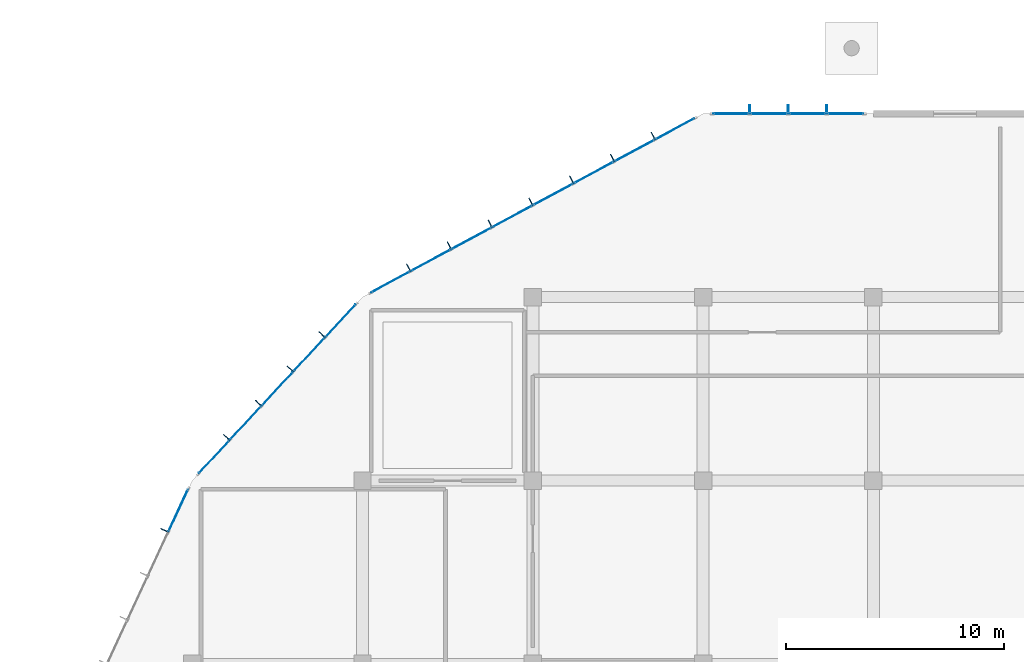
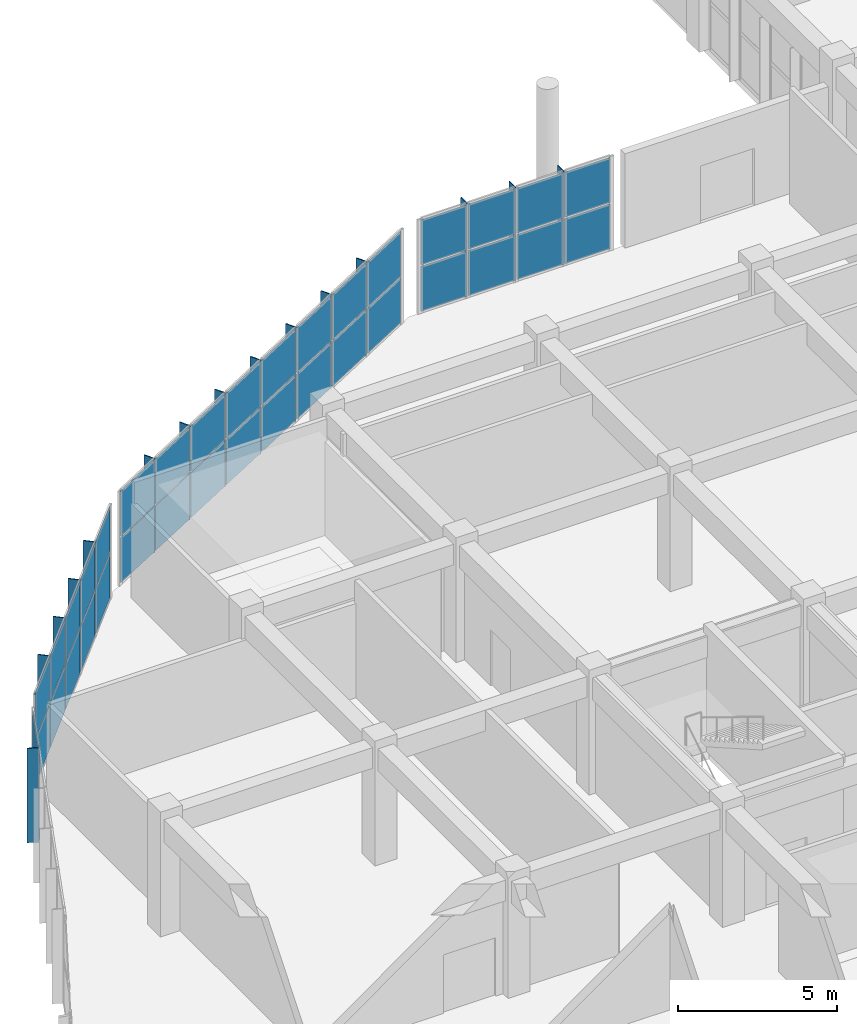
# One storey, part 105 of 139: 51 plates, 4 elements without a shape of their own.
"""IFC4 building model written with IfcOpenShell, lengths in metres."""

from ifc_helpers import new_model, si_unit, direction, frame, origin, origin_2d, place, context, subcontext, project, spatial, polyline, rectangle, outline, extrude, material, layer, layer_set, type_object, element, aggregate, save


model = new_model("IFC4")

# Units and contexts
model_context = context("Model", 3, precision=1e-05, world=origin(), true_north=direction((0.0, 1.0)))
body_context = subcontext(model_context, "Body", "Model", "MODEL_VIEW")
ifc_project = project(units=[si_unit("LENGTHUNIT", "METRE"), si_unit("AREAUNIT", "SQUARE_METRE"), si_unit("VOLUMEUNIT", "CUBIC_METRE"), si_unit("PLANEANGLEUNIT", "RADIAN"), si_unit("MASSUNIT", "GRAM", prefix="KILO")], contexts=[model_context])

# Site, building, storey
site_placement = place(None, origin())
site = spatial("IfcSite", under=ifc_project, at=site_placement, CompositionType="ELEMENT")
building_placement = place(site_placement, origin())
building = spatial("IfcBuilding", under=site, at=building_placement, Name="Zizhar Promenade General Hospital", CompositionType="ELEMENT")
storey_placement = place(building_placement, origin())
storey = spatial("IfcBuildingStorey", under=building, at=storey_placement, Name="L00", CompositionType="ELEMENT", Elevation=0.0)

# Curtain wall, plates
ifc_material_1 = material(Name="Anodised aluminium 6063-T6 and low-E glass", Category="aluminium")
ifc_layer_1 = layer(ifc_material_1, 0.159912109375)
ifc_layer_set_1 = layer_set([ifc_layer_1], Name="Anodised aluminium 6063-T6 and low-E glass")
curtain_wall_type = type_object("IfcCurtainWallType", Name="CW-DT-MOD2", PredefinedType="NOTDEFINED", material=ifc_layer_set_1)
curtain_wall_1_placement = place(storey_placement, origin())
curtain_wall_1 = element("IfcCurtainWall", 1, at=curtain_wall_1_placement, inside=storey, type_object=curtain_wall_type, Name="West Diagnostic Arm Glazed Curtain Wall L00-NW1", PredefinedType="NOTDEFINED")
ifc_material_2 = material(Name="Low-E solar-control glass", Category="glass")
ifc_layer_2 = layer(ifc_material_2, 0.031982421875)
ifc_layer_set_2 = layer_set([ifc_layer_2], Name="Low-E solar-control glass")
plate_type_1 = type_object("IfcPlateType", Name="CWP-GLZ-32", PredefinedType="CURTAIN_PANEL", material=ifc_layer_set_2)
plate_1_placement = place(storey_placement, frame((7.1640625, 65.830322265625, 0.06005859375), z_axis=(0.0, 0.0, 1.0), x_axis=(0.421114945486, 0.907007278189, 0.0)))
plate_1 = element("IfcPlate", 2, at=plate_1_placement, type_object=plate_type_1, Name="CW-08 panel 8.1", PredefinedType="CURTAIN_PANEL", context=body_context, shape_type="SweptSolid", body=[
    extrude(rectangle(XDim=2.100341796875, YDim=0.031982421875, at=origin_2d()), origin(), (0.0, 0.0, 1.0), 1.72509765625),
])
plate_2_placement = place(storey_placement, frame((7.1640625, 65.830322265625, 1.844970703125), z_axis=(0.0, 0.0, 1.0), x_axis=(0.421114945486, 0.907007278189, 0.0)))
plate_2 = element("IfcPlate", 3, at=plate_2_placement, type_object=plate_type_1, Name="CW-08 panel 8.2", PredefinedType="CURTAIN_PANEL", context=body_context, shape_type="SweptSolid", body=[
    extrude(rectangle(XDim=2.100341796875, YDim=0.031982421875, at=origin_2d()), origin(), (0.0, 0.0, 1.0), 1.72509765625),
])
aggregate(curtain_wall_1, [plate_1, plate_2])

curtain_wall_2_placement = place(storey_placement, origin())
curtain_wall_2 = element("IfcCurtainWall", 4, at=curtain_wall_2_placement, inside=storey, type_object=curtain_wall_type, Name="West Diagnostic Arm Glazed Curtain Wall L00-NW2", PredefinedType="NOTDEFINED")
plate_3_placement = place(storey_placement, frame((8.800537109375, 68.27734375, 0.06005859375), z_axis=(0.0, 0.0, 1.0), x_axis=(0.680451816108, 0.732792826081, 0.0)))
plate_3 = element("IfcPlate", 5, at=plate_3_placement, type_object=plate_type_1, Name="CW-08 panel 1.1", PredefinedType="CURTAIN_PANEL", context=body_context, shape_type="SweptSolid", body=[
    extrude(rectangle(XDim=2.0205078125, YDim=0.031982421875, at=origin_2d()), origin(), (0.0, 0.0, 1.0), 1.72509765625),
])
plate_4_placement = place(storey_placement, frame((8.800537109375, 68.27734375, 1.844970703125), z_axis=(0.0, 0.0, 1.0), x_axis=(0.680451816108, 0.732792826081, 0.0)))
plate_4 = element("IfcPlate", 6, at=plate_4_placement, type_object=plate_type_1, Name="CW-08 panel 1.2", PredefinedType="CURTAIN_PANEL", context=body_context, shape_type="SweptSolid", body=[
    extrude(rectangle(XDim=2.0205078125, YDim=0.031982421875, at=origin_2d()), origin(), (0.0, 0.0, 1.0), 1.72509765625),
])
plate_5_placement = place(storey_placement, frame((10.243408203125, 69.831298828125, 0.06005859375), z_axis=(0.0, 0.0, 1.0), x_axis=(0.680451816108, 0.732792826081, 0.0)))
plate_5 = element("IfcPlate", 7, at=plate_5_placement, type_object=plate_type_1, Name="CW-08 panel 2.1", PredefinedType="CURTAIN_PANEL", context=body_context, shape_type="SweptSolid", body=[
    extrude(rectangle(XDim=2.060546875, YDim=0.031982421875, at=origin_2d()), origin(), (0.0, 0.0, 1.0), 1.72509765625),
])
plate_6_placement = place(storey_placement, frame((10.243408203125, 69.831298828125, 1.844970703125), z_axis=(0.0, 0.0, 1.0), x_axis=(0.680451816108, 0.732792826081, 0.0)))
plate_6 = element("IfcPlate", 8, at=plate_6_placement, type_object=plate_type_1, Name="CW-08 panel 2.2", PredefinedType="CURTAIN_PANEL", context=body_context, shape_type="SweptSolid", body=[
    extrude(rectangle(XDim=2.060546875, YDim=0.031982421875, at=origin_2d()), origin(), (0.0, 0.0, 1.0), 1.72509765625),
])
plate_7_placement = place(storey_placement, frame((11.699951171875, 71.39990234375, 0.06005859375), z_axis=(0.0, 0.0, 1.0), x_axis=(0.680451816108, 0.732792826081, 0.0)))
plate_7 = element("IfcPlate", 9, at=plate_7_placement, type_object=plate_type_1, Name="CW-08 panel 3.1", PredefinedType="CURTAIN_PANEL", context=body_context, shape_type="SweptSolid", body=[
    extrude(rectangle(XDim=2.060546875, YDim=0.031982421875, at=origin_2d()), origin(), (0.0, 0.0, 1.0), 1.72509765625),
])
plate_8_placement = place(storey_placement, frame((11.699951171875, 71.39990234375, 1.844970703125), z_axis=(0.0, 0.0, 1.0), x_axis=(0.680451816108, 0.732792826081, 0.0)))
plate_8 = element("IfcPlate", 10, at=plate_8_placement, type_object=plate_type_1, Name="CW-08 panel 3.2", PredefinedType="CURTAIN_PANEL", context=body_context, shape_type="SweptSolid", body=[
    extrude(rectangle(XDim=2.060546875, YDim=0.031982421875, at=origin_2d()), origin(), (0.0, 0.0, 1.0), 1.72509765625),
])
plate_9_placement = place(storey_placement, frame((13.156494140625, 72.968505859375, 0.06005859375), z_axis=(0.0, 0.0, 1.0), x_axis=(0.680451816108, 0.732792826081, 0.0)))
plate_9 = element("IfcPlate", 11, at=plate_9_placement, type_object=plate_type_1, Name="CW-08 panel 4.1", PredefinedType="CURTAIN_PANEL", context=body_context, shape_type="SweptSolid", body=[
    extrude(rectangle(XDim=2.060546875, YDim=0.031982421875, at=origin_2d()), origin(), (0.0, 0.0, 1.0), 1.72509765625),
])
plate_10_placement = place(storey_placement, frame((13.156494140625, 72.968505859375, 1.844970703125), z_axis=(0.0, 0.0, 1.0), x_axis=(0.680451816108, 0.732792826081, 0.0)))
plate_10 = element("IfcPlate", 12, at=plate_10_placement, type_object=plate_type_1, Name="CW-08 panel 4.2", PredefinedType="CURTAIN_PANEL", context=body_context, shape_type="SweptSolid", body=[
    extrude(rectangle(XDim=2.060546875, YDim=0.031982421875, at=origin_2d()), origin(), (0.0, 0.0, 1.0), 1.72509765625),
])
plate_11_placement = place(storey_placement, frame((14.599609375, 74.5224609375, 0.06005859375), z_axis=(0.0, 0.0, 1.0), x_axis=(0.680451816108, 0.732792826081, 0.0)))
plate_11 = element("IfcPlate", 13, at=plate_11_placement, type_object=plate_type_1, Name="CW-08 panel 5.1", PredefinedType="CURTAIN_PANEL", context=body_context, shape_type="SweptSolid", body=[
    extrude(rectangle(XDim=2.0205078125, YDim=0.031982421875, at=origin_2d()), origin(), (0.0, 0.0, 1.0), 1.72509765625),
])
plate_12_placement = place(storey_placement, frame((14.599609375, 74.5224609375, 1.844970703125), z_axis=(0.0, 0.0, 1.0), x_axis=(0.680451816108, 0.732792826081, 0.0)))
plate_12 = element("IfcPlate", 14, at=plate_12_placement, type_object=plate_type_1, Name="CW-08 panel 5.2", PredefinedType="CURTAIN_PANEL", context=body_context, shape_type="SweptSolid", body=[
    extrude(rectangle(XDim=2.0205078125, YDim=0.031982421875, at=origin_2d()), origin(), (0.0, 0.0, 1.0), 1.72509765625),
])
aggregate(curtain_wall_2, [plate_3, plate_4, plate_5, plate_6, plate_7, plate_8, plate_9, plate_10, plate_11, plate_12])

curtain_wall_3_placement = place(storey_placement, origin())
curtain_wall_3 = element("IfcCurtainWall", 15, at=curtain_wall_3_placement, inside=storey, type_object=curtain_wall_type, Name="West Diagnostic Arm Glazed Curtain Wall L00-NW3", PredefinedType="NOTDEFINED")
plate_13_placement = place(storey_placement, frame((16.885498046875, 76.292236328125, 0.06005859375), z_axis=(0.0, 0.0, 1.0), x_axis=(0.880472614749, 0.474097009774, 0.0)))
plate_13 = element("IfcPlate", 16, at=plate_13_placement, type_object=plate_type_1, Name="CW-08 panel 1.1", PredefinedType="CURTAIN_PANEL", context=body_context, shape_type="SweptSolid", body=[
    extrude(rectangle(XDim=1.999755859375, YDim=0.031982421875, at=origin_2d()), origin(), (0.0, 0.0, 1.0), 1.72509765625),
])
plate_14_placement = place(storey_placement, frame((16.885498046875, 76.292236328125, 1.844970703125), z_axis=(0.0, 0.0, 1.0), x_axis=(0.880472614749, 0.474097009774, 0.0)))
plate_14 = element("IfcPlate", 17, at=plate_14_placement, type_object=plate_type_1, Name="CW-08 panel 1.2", PredefinedType="CURTAIN_PANEL", context=body_context, shape_type="SweptSolid", body=[
    extrude(rectangle(XDim=1.999755859375, YDim=0.031982421875, at=origin_2d()), origin(), (0.0, 0.0, 1.0), 1.72509765625),
])
plate_15_placement = place(storey_placement, frame((18.734130859375, 77.28759765625, 0.06005859375), z_axis=(0.0, 0.0, 1.0), x_axis=(0.880472614749, 0.474097009774, 0.0)))
plate_15 = element("IfcPlate", 18, at=plate_15_placement, type_object=plate_type_1, Name="CW-08 panel 2.1", PredefinedType="CURTAIN_PANEL", context=body_context, shape_type="SweptSolid", body=[
    extrude(rectangle(XDim=2.039794921875, YDim=0.031982421875, at=origin_2d()), origin(), (0.0, 0.0, 1.0), 1.72509765625),
])
plate_16_placement = place(storey_placement, frame((18.734130859375, 77.28759765625, 1.844970703125), z_axis=(0.0, 0.0, 1.0), x_axis=(0.880472614749, 0.474097009774, 0.0)))
plate_16 = element("IfcPlate", 19, at=plate_16_placement, type_object=plate_type_1, Name="CW-08 panel 2.2", PredefinedType="CURTAIN_PANEL", context=body_context, shape_type="SweptSolid", body=[
    extrude(rectangle(XDim=2.039794921875, YDim=0.031982421875, at=origin_2d()), origin(), (0.0, 0.0, 1.0), 1.72509765625),
])
plate_17_placement = place(storey_placement, frame((20.6005859375, 78.29248046875, 0.06005859375), z_axis=(0.0, 0.0, 1.0), x_axis=(0.880472614749, 0.474097009774, 0.0)))
plate_17 = element("IfcPlate", 20, at=plate_17_placement, type_object=plate_type_1, Name="CW-08 panel 3.1", PredefinedType="CURTAIN_PANEL", context=body_context, shape_type="SweptSolid", body=[
    extrude(rectangle(XDim=2.039794921875, YDim=0.031982421875, at=origin_2d()), origin(), (0.0, 0.0, 1.0), 1.72509765625),
])
plate_18_placement = place(storey_placement, frame((20.6005859375, 78.29248046875, 1.844970703125), z_axis=(0.0, 0.0, 1.0), x_axis=(0.880472614749, 0.474097009774, 0.0)))
plate_18 = element("IfcPlate", 21, at=plate_18_placement, type_object=plate_type_1, Name="CW-08 panel 3.2", PredefinedType="CURTAIN_PANEL", context=body_context, shape_type="SweptSolid", body=[
    extrude(rectangle(XDim=2.039794921875, YDim=0.031982421875, at=origin_2d()), origin(), (0.0, 0.0, 1.0), 1.72509765625),
])
plate_19_placement = place(storey_placement, frame((22.466796875, 79.297607421875, 0.06005859375), z_axis=(0.0, 0.0, 1.0), x_axis=(0.880472614749, 0.474097009774, 0.0)))
plate_19 = element("IfcPlate", 22, at=plate_19_placement, type_object=plate_type_1, Name="CW-08 panel 4.1", PredefinedType="CURTAIN_PANEL", context=body_context, shape_type="SweptSolid", body=[
    extrude(rectangle(XDim=2.039794921875, YDim=0.031982421875, at=origin_2d()), origin(), (0.0, 0.0, 1.0), 1.72509765625),
])
plate_20_placement = place(storey_placement, frame((22.466796875, 79.297607421875, 1.844970703125), z_axis=(0.0, 0.0, 1.0), x_axis=(0.880472614749, 0.474097009774, 0.0)))
plate_20 = element("IfcPlate", 23, at=plate_20_placement, type_object=plate_type_1, Name="CW-08 panel 4.2", PredefinedType="CURTAIN_PANEL", context=body_context, shape_type="SweptSolid", body=[
    extrude(rectangle(XDim=2.039794921875, YDim=0.031982421875, at=origin_2d()), origin(), (0.0, 0.0, 1.0), 1.72509765625),
])
plate_21_placement = place(storey_placement, frame((24.333251953125, 80.302490234375, 0.06005859375), z_axis=(0.0, 0.0, 1.0), x_axis=(0.880472614749, 0.474097009774, 0.0)))
plate_21 = element("IfcPlate", 24, at=plate_21_placement, type_object=plate_type_1, Name="CW-08 panel 5.1", PredefinedType="CURTAIN_PANEL", context=body_context, shape_type="SweptSolid", body=[
    extrude(rectangle(XDim=2.039794921875, YDim=0.031982421875, at=origin_2d()), origin(), (0.0, 0.0, 1.0), 1.72509765625),
])
plate_22_placement = place(storey_placement, frame((24.333251953125, 80.302490234375, 1.844970703125), z_axis=(0.0, 0.0, 1.0), x_axis=(0.880472614749, 0.474097009774, 0.0)))
plate_22 = element("IfcPlate", 25, at=plate_22_placement, type_object=plate_type_1, Name="CW-08 panel 5.2", PredefinedType="CURTAIN_PANEL", context=body_context, shape_type="SweptSolid", body=[
    extrude(rectangle(XDim=2.039794921875, YDim=0.031982421875, at=origin_2d()), origin(), (0.0, 0.0, 1.0), 1.72509765625),
])
plate_23_placement = place(storey_placement, frame((26.199462890625, 81.307373046875, 0.06005859375), z_axis=(0.0, 0.0, 1.0), x_axis=(0.880472614749, 0.474097009774, 0.0)))
plate_23 = element("IfcPlate", 26, at=plate_23_placement, type_object=plate_type_1, Name="CW-08 panel 6.1", PredefinedType="CURTAIN_PANEL", context=body_context, shape_type="SweptSolid", body=[
    extrude(rectangle(XDim=2.039794921875, YDim=0.031982421875, at=origin_2d()), origin(), (0.0, 0.0, 1.0), 1.72509765625),
])
plate_24_placement = place(storey_placement, frame((26.199462890625, 81.307373046875, 1.844970703125), z_axis=(0.0, 0.0, 1.0), x_axis=(0.880472614749, 0.474097009774, 0.0)))
plate_24 = element("IfcPlate", 27, at=plate_24_placement, type_object=plate_type_1, Name="CW-08 panel 6.2", PredefinedType="CURTAIN_PANEL", context=body_context, shape_type="SweptSolid", body=[
    extrude(rectangle(XDim=2.039794921875, YDim=0.031982421875, at=origin_2d()), origin(), (0.0, 0.0, 1.0), 1.72509765625),
])
plate_25_placement = place(storey_placement, frame((28.06591796875, 82.312255859375, 0.06005859375), z_axis=(0.0, 0.0, 1.0), x_axis=(0.880472614749, 0.474097009774, 0.0)))
plate_25 = element("IfcPlate", 28, at=plate_25_placement, type_object=plate_type_1, Name="CW-08 panel 7.1", PredefinedType="CURTAIN_PANEL", context=body_context, shape_type="SweptSolid", body=[
    extrude(rectangle(XDim=2.039794921875, YDim=0.031982421875, at=origin_2d()), origin(), (0.0, 0.0, 1.0), 1.72509765625),
])
plate_26_placement = place(storey_placement, frame((28.06591796875, 82.312255859375, 1.844970703125), z_axis=(0.0, 0.0, 1.0), x_axis=(0.880472614749, 0.474097009774, 0.0)))
plate_26 = element("IfcPlate", 29, at=plate_26_placement, type_object=plate_type_1, Name="CW-08 panel 7.2", PredefinedType="CURTAIN_PANEL", context=body_context, shape_type="SweptSolid", body=[
    extrude(rectangle(XDim=2.039794921875, YDim=0.031982421875, at=origin_2d()), origin(), (0.0, 0.0, 1.0), 1.72509765625),
])
plate_27_placement = place(storey_placement, frame((29.91455078125, 83.307861328125, 0.06005859375), z_axis=(0.0, 0.0, 1.0), x_axis=(0.880472614749, 0.474097009774, 0.0)))
plate_27 = element("IfcPlate", 30, at=plate_27_placement, type_object=plate_type_1, Name="CW-08 panel 8.1", PredefinedType="CURTAIN_PANEL", context=body_context, shape_type="SweptSolid", body=[
    extrude(rectangle(XDim=1.999755859375, YDim=0.031982421875, at=origin_2d()), origin(), (0.0, 0.0, 1.0), 1.72509765625),
])
plate_28_placement = place(storey_placement, frame((29.91455078125, 83.307861328125, 1.844970703125), z_axis=(0.0, 0.0, 1.0), x_axis=(0.880472614749, 0.474097009774, 0.0)))
plate_28 = element("IfcPlate", 31, at=plate_28_placement, type_object=plate_type_1, Name="CW-08 panel 8.2", PredefinedType="CURTAIN_PANEL", context=body_context, shape_type="SweptSolid", body=[
    extrude(rectangle(XDim=1.999755859375, YDim=0.031982421875, at=origin_2d()), origin(), (0.0, 0.0, 1.0), 1.72509765625),
])
aggregate(curtain_wall_3, [plate_13, plate_14, plate_15, plate_16, plate_17, plate_18, plate_19, plate_20, plate_21, plate_22, plate_23, plate_24, plate_25, plate_26, plate_27, plate_28])

curtain_wall_4_placement = place(storey_placement, origin())
curtain_wall_4 = element("IfcCurtainWall", 32, at=curtain_wall_4_placement, inside=storey, type_object=curtain_wall_type, Name="West Diagnostic Arm Glazed Curtain Wall L00-N1", PredefinedType="NOTDEFINED")
plate_29_placement = place(storey_placement, frame((32.47998046875, 84.0, 0.06005859375), z_axis=(0.0, 0.0, 1.0), x_axis=(1.0, 0.0, 0.0)))
plate_29 = element("IfcPlate", 33, at=plate_29_placement, type_object=plate_type_1, Name="CW-08 panel 1.1", PredefinedType="CURTAIN_PANEL", context=body_context, shape_type="SweptSolid", body=[
    extrude(rectangle(XDim=1.639892578125, YDim=0.031982421875, at=origin_2d()), origin(), (0.0, 0.0, 1.0), 1.72509765625),
])
plate_30_placement = place(storey_placement, frame((32.47998046875, 84.0, 1.844970703125), z_axis=(0.0, 0.0, 1.0), x_axis=(1.0, 0.0, 0.0)))
plate_30 = element("IfcPlate", 34, at=plate_30_placement, type_object=plate_type_1, Name="CW-08 panel 1.2", PredefinedType="CURTAIN_PANEL", context=body_context, shape_type="SweptSolid", body=[
    extrude(rectangle(XDim=1.639892578125, YDim=0.031982421875, at=origin_2d()), origin(), (0.0, 0.0, 1.0), 1.72509765625),
])
plate_31_placement = place(storey_placement, frame((34.219970703125, 84.0, 0.06005859375), z_axis=(0.0, 0.0, 1.0), x_axis=(1.0, 0.0, 0.0)))
plate_31 = element("IfcPlate", 35, at=plate_31_placement, type_object=plate_type_1, Name="CW-08 panel 2.1", PredefinedType="CURTAIN_PANEL", context=body_context, shape_type="SweptSolid", body=[
    extrude(rectangle(XDim=1.679931640625, YDim=0.031982421875, at=origin_2d()), origin(), (0.0, 0.0, 1.0), 1.72509765625),
])
plate_32_placement = place(storey_placement, frame((34.219970703125, 84.0, 1.844970703125), z_axis=(0.0, 0.0, 1.0), x_axis=(1.0, 0.0, 0.0)))
plate_32 = element("IfcPlate", 36, at=plate_32_placement, type_object=plate_type_1, Name="CW-08 panel 2.2", PredefinedType="CURTAIN_PANEL", context=body_context, shape_type="SweptSolid", body=[
    extrude(rectangle(XDim=1.679931640625, YDim=0.031982421875, at=origin_2d()), origin(), (0.0, 0.0, 1.0), 1.72509765625),
])
plate_33_placement = place(storey_placement, frame((35.97998046875, 84.0, 0.06005859375), z_axis=(0.0, 0.0, 1.0), x_axis=(1.0, 0.0, 0.0)))
plate_33 = element("IfcPlate", 37, at=plate_33_placement, type_object=plate_type_1, Name="CW-08 panel 3.1", PredefinedType="CURTAIN_PANEL", context=body_context, shape_type="SweptSolid", body=[
    extrude(rectangle(XDim=1.679931640625, YDim=0.031982421875, at=origin_2d()), origin(), (0.0, 0.0, 1.0), 1.72509765625),
])
plate_34_placement = place(storey_placement, frame((35.97998046875, 84.0, 1.844970703125), z_axis=(0.0, 0.0, 1.0), x_axis=(1.0, 0.0, 0.0)))
plate_34 = element("IfcPlate", 38, at=plate_34_placement, type_object=plate_type_1, Name="CW-08 panel 3.2", PredefinedType="CURTAIN_PANEL", context=body_context, shape_type="SweptSolid", body=[
    extrude(rectangle(XDim=1.679931640625, YDim=0.031982421875, at=origin_2d()), origin(), (0.0, 0.0, 1.0), 1.72509765625),
])
plate_35_placement = place(storey_placement, frame((37.719970703125, 84.0, 0.06005859375), z_axis=(0.0, 0.0, 1.0), x_axis=(1.0, 0.0, 0.0)))
plate_35 = element("IfcPlate", 39, at=plate_35_placement, type_object=plate_type_1, Name="CW-08 panel 4.1", PredefinedType="CURTAIN_PANEL", context=body_context, shape_type="SweptSolid", body=[
    extrude(rectangle(XDim=1.639892578125, YDim=0.031982421875, at=origin_2d()), origin(), (0.0, 0.0, 1.0), 1.72509765625),
])
plate_36_placement = place(storey_placement, frame((37.719970703125, 84.0, 1.844970703125), z_axis=(0.0, 0.0, 1.0), x_axis=(1.0, 0.0, 0.0)))
plate_36 = element("IfcPlate", 40, at=plate_36_placement, type_object=plate_type_1, Name="CW-08 panel 4.2", PredefinedType="CURTAIN_PANEL", context=body_context, shape_type="SweptSolid", body=[
    extrude(rectangle(XDim=1.639892578125, YDim=0.031982421875, at=origin_2d()), origin(), (0.0, 0.0, 1.0), 1.72509765625),
])
aggregate(curtain_wall_4, [plate_29, plate_30, plate_31, plate_32, plate_33, plate_34, plate_35, plate_36])

# Plates
ifc_material_3 = material(Name="Anodised aluminium 6063-T6", Category="aluminium")
ifc_layer_3 = layer(ifc_material_3, 0.035888671875)
ifc_layer_set_3 = layer_set([ifc_layer_3], Name="Anodised aluminium 6063-T6")
plate_type_2 = type_object("IfcPlateType", Name="FIN-ALU-380", PredefinedType="USERDEFINED", material=ifc_layer_set_3)
plate_37_placement = place(storey_placement, origin())
element("IfcPlate", 41, at=plate_37_placement, inside=storey, type_object=plate_type_2, Name="West Diagnostic Arm Glazed Curtain Wall L00-NW1 Solar Fin 7", ObjectType="SOLAR_SHADE", PredefinedType="USERDEFINED", context=body_context, shape_type="SweptSolid", body=[
    extrude(outline(polyline([(6.697509765625, 64.8251953125), (6.712646484375, 64.85791015625), (6.367919921875, 65.017822265625), (6.352783203125, 64.985107421875), (6.697509765625, 64.8251953125)])), origin(), (0.0, 0.0, 1.0), 3.6298828125),
])
plate_38_placement = place(storey_placement, origin())
element("IfcPlate", 42, at=plate_38_placement, inside=storey, type_object=plate_type_2, Name="West Diagnostic Arm Glazed Curtain Wall L00-NW2 Solar Fin 1", ObjectType="SOLAR_SHADE", PredefinedType="USERDEFINED", context=body_context, shape_type="SweptSolid", body=[
    extrude(outline(polyline([(9.5029296875, 69.033935546875), (9.52734375, 69.060302734375), (9.248779296875, 69.31884765625), (9.224609375, 69.29248046875), (9.5029296875, 69.033935546875)])), origin(), (0.0, 0.0, 1.0), 3.6298828125),
])
plate_39_placement = place(storey_placement, origin())
element("IfcPlate", 43, at=plate_39_placement, inside=storey, type_object=plate_type_2, Name="West Diagnostic Arm Glazed Curtain Wall L00-NW2 Solar Fin 2", ObjectType="SOLAR_SHADE", PredefinedType="USERDEFINED", context=body_context, shape_type="SweptSolid", body=[
    extrude(outline(polyline([(10.95947265625, 70.6025390625), (10.98388671875, 70.62890625), (10.70556640625, 70.887451171875), (10.680908203125, 70.861083984375), (10.95947265625, 70.6025390625)])), origin(), (0.0, 0.0, 1.0), 3.6298828125),
])
plate_40_placement = place(storey_placement, origin())
element("IfcPlate", 44, at=plate_40_placement, inside=storey, type_object=plate_type_2, Name="West Diagnostic Arm Glazed Curtain Wall L00-NW2 Solar Fin 3", ObjectType="SOLAR_SHADE", PredefinedType="USERDEFINED", context=body_context, shape_type="SweptSolid", body=[
    extrude(outline(polyline([(12.416015625, 72.171142578125), (12.4404296875, 72.197509765625), (12.162109375, 72.4560546875), (12.1376953125, 72.4296875), (12.416015625, 72.171142578125)])), origin(), (0.0, 0.0, 1.0), 3.6298828125),
])
plate_41_placement = place(storey_placement, origin())
element("IfcPlate", 45, at=plate_41_placement, inside=storey, type_object=plate_type_2, Name="West Diagnostic Arm Glazed Curtain Wall L00-NW2 Solar Fin 4", ObjectType="SOLAR_SHADE", PredefinedType="USERDEFINED", context=body_context, shape_type="SweptSolid", body=[
    extrude(outline(polyline([(13.87255859375, 73.73974609375), (13.897216796875, 73.76611328125), (13.61865234375, 74.024658203125), (13.593994140625, 73.998291015625), (13.87255859375, 73.73974609375)])), origin(), (0.0, 0.0, 1.0), 3.6298828125),
])
plate_42_placement = place(storey_placement, origin())
element("IfcPlate", 46, at=plate_42_placement, inside=storey, type_object=plate_type_2, Name="West Diagnostic Arm Glazed Curtain Wall L00-NW3 Solar Fin 1", ObjectType="SOLAR_SHADE", PredefinedType="USERDEFINED", context=body_context, shape_type="SweptSolid", body=[
    extrude(outline(polyline([(17.78515625, 76.776611328125), (17.81689453125, 76.793701171875), (17.63671875, 77.12841796875), (17.60498046875, 77.111083984375), (17.78515625, 76.776611328125)])), origin(), (0.0, 0.0, 1.0), 3.6298828125),
])
plate_43_placement = place(storey_placement, origin())
element("IfcPlate", 47, at=plate_43_placement, inside=storey, type_object=plate_type_2, Name="West Diagnostic Arm Glazed Curtain Wall L00-NW3 Solar Fin 2", ObjectType="SOLAR_SHADE", PredefinedType="USERDEFINED", context=body_context, shape_type="SweptSolid", body=[
    extrude(outline(polyline([(19.651611328125, 77.781494140625), (19.68310546875, 77.798583984375), (19.5029296875, 78.13330078125), (19.47119140625, 78.1162109375), (19.651611328125, 77.781494140625)])), origin(), (0.0, 0.0, 1.0), 3.6298828125),
])
plate_44_placement = place(storey_placement, origin())
element("IfcPlate", 48, at=plate_44_placement, inside=storey, type_object=plate_type_2, Name="West Diagnostic Arm Glazed Curtain Wall L00-NW3 Solar Fin 3", ObjectType="SOLAR_SHADE", PredefinedType="USERDEFINED", context=body_context, shape_type="SweptSolid", body=[
    extrude(outline(polyline([(21.517822265625, 78.78662109375), (21.549560546875, 78.8037109375), (21.369384765625, 79.13818359375), (21.337646484375, 79.12109375), (21.517822265625, 78.78662109375)])), origin(), (0.0, 0.0, 1.0), 3.6298828125),
])
plate_45_placement = place(storey_placement, origin())
element("IfcPlate", 49, at=plate_45_placement, inside=storey, type_object=plate_type_2, Name="West Diagnostic Arm Glazed Curtain Wall L00-NW3 Solar Fin 4", ObjectType="SOLAR_SHADE", PredefinedType="USERDEFINED", context=body_context, shape_type="SweptSolid", body=[
    extrude(outline(polyline([(23.38427734375, 79.79150390625), (23.415771484375, 79.80859375), (23.235595703125, 80.14306640625), (23.2041015625, 80.1259765625), (23.38427734375, 79.79150390625)])), origin(), (0.0, 0.0, 1.0), 3.6298828125),
])
plate_46_placement = place(storey_placement, origin())
element("IfcPlate", 50, at=plate_46_placement, inside=storey, type_object=plate_type_2, Name="West Diagnostic Arm Glazed Curtain Wall L00-NW3 Solar Fin 5", ObjectType="SOLAR_SHADE", PredefinedType="USERDEFINED", context=body_context, shape_type="SweptSolid", body=[
    extrude(outline(polyline([(25.25048828125, 80.79638671875), (25.2822265625, 80.8134765625), (25.10205078125, 81.148193359375), (25.0703125, 81.131103515625), (25.25048828125, 80.79638671875)])), origin(), (0.0, 0.0, 1.0), 3.6298828125),
])
plate_47_placement = place(storey_placement, origin())
element("IfcPlate", 51, at=plate_47_placement, inside=storey, type_object=plate_type_2, Name="West Diagnostic Arm Glazed Curtain Wall L00-NW3 Solar Fin 6", ObjectType="SOLAR_SHADE", PredefinedType="USERDEFINED", context=body_context, shape_type="SweptSolid", body=[
    extrude(outline(polyline([(27.116943359375, 81.801513671875), (27.1484375, 81.818359375), (26.968505859375, 82.153076171875), (26.936767578125, 82.135986328125), (27.116943359375, 81.801513671875)])), origin(), (0.0, 0.0, 1.0), 3.6298828125),
])
plate_48_placement = place(storey_placement, origin())
element("IfcPlate", 52, at=plate_48_placement, inside=storey, type_object=plate_type_2, Name="West Diagnostic Arm Glazed Curtain Wall L00-NW3 Solar Fin 7", ObjectType="SOLAR_SHADE", PredefinedType="USERDEFINED", context=body_context, shape_type="SweptSolid", body=[
    extrude(outline(polyline([(28.983154296875, 82.806396484375), (29.014892578125, 82.823486328125), (28.834716796875, 83.157958984375), (28.802978515625, 83.140869140625), (28.983154296875, 82.806396484375)])), origin(), (0.0, 0.0, 1.0), 3.6298828125),
])
plate_49_placement = place(storey_placement, origin())
element("IfcPlate", 53, at=plate_49_placement, inside=storey, type_object=plate_type_2, Name="West Diagnostic Arm Glazed Curtain Wall L00-N1 Solar Fin 1", ObjectType="SOLAR_SHADE", PredefinedType="USERDEFINED", context=body_context, shape_type="SweptSolid", body=[
    extrude(outline(polyline([(33.322021484375, 84.0), (33.35791015625, 84.0), (33.35791015625, 84.3798828125), (33.322021484375, 84.3798828125), (33.322021484375, 84.0)])), origin(), (0.0, 0.0, 1.0), 3.6298828125),
])
plate_50_placement = place(storey_placement, origin())
element("IfcPlate", 54, at=plate_50_placement, inside=storey, type_object=plate_type_2, Name="West Diagnostic Arm Glazed Curtain Wall L00-N1 Solar Fin 2", ObjectType="SOLAR_SHADE", PredefinedType="USERDEFINED", context=body_context, shape_type="SweptSolid", body=[
    extrude(outline(polyline([(35.08203125, 84.0), (35.117919921875, 84.0), (35.117919921875, 84.3798828125), (35.08203125, 84.3798828125), (35.08203125, 84.0)])), origin(), (0.0, 0.0, 1.0), 3.6298828125),
])
plate_51_placement = place(storey_placement, origin())
element("IfcPlate", 55, at=plate_51_placement, inside=storey, type_object=plate_type_2, Name="West Diagnostic Arm Glazed Curtain Wall L00-N1 Solar Fin 3", ObjectType="SOLAR_SHADE", PredefinedType="USERDEFINED", context=body_context, shape_type="SweptSolid", body=[
    extrude(outline(polyline([(36.842041015625, 84.0), (36.8779296875, 84.0), (36.8779296875, 84.3798828125), (36.842041015625, 84.3798828125), (36.842041015625, 84.0)])), origin(), (0.0, 0.0, 1.0), 3.6298828125),
])

save(model, "model.ifc")
